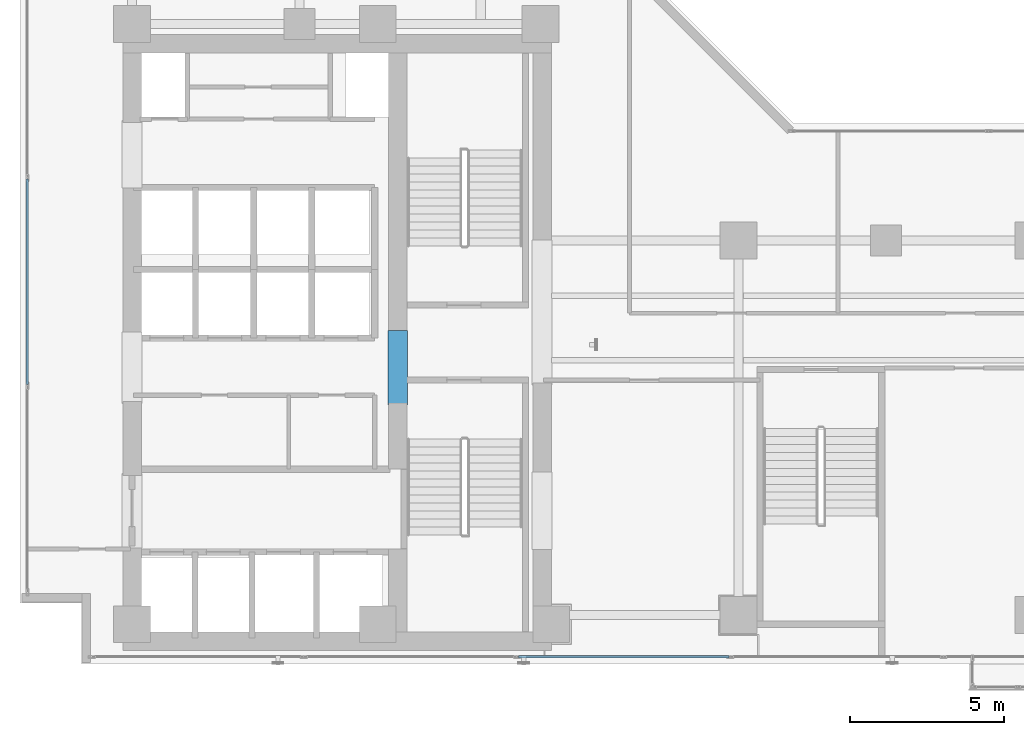
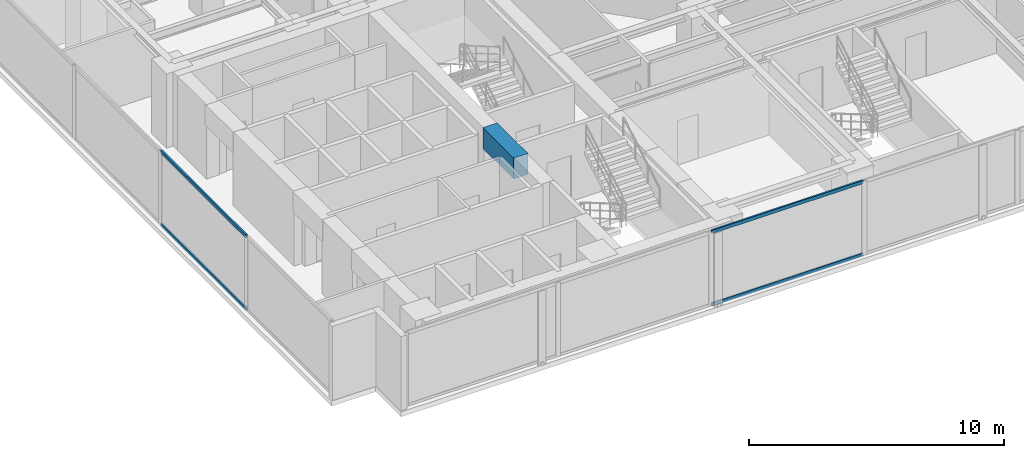
# One storey, part 3 of 27: 4 members, 1 beam, 2 elements without a shape of their own.
"""IFC4 building model written with IfcOpenShell, lengths in metres."""

from ifc_helpers import new_model, si_unit, direction, frame, origin, origin_with_axes, origin_2d, place, context, subcontext, project, spatial, rectangle, hollow_rectangle, extrude, source, transform, mapped, material, layer, layer_set, material_profile, profile_set, type_object, element, aggregate, save


model = new_model("IFC4")

# Units and contexts
model_context = context("Model", 3, precision=1e-05, world=origin(), true_north=direction((0.0, 1.0)))
body_context = subcontext(model_context, "Body", "Model", "MODEL_VIEW")
ifc_project = project(units=[si_unit("LENGTHUNIT", "METRE"), si_unit("AREAUNIT", "SQUARE_METRE"), si_unit("VOLUMEUNIT", "CUBIC_METRE"), si_unit("PLANEANGLEUNIT", "RADIAN"), si_unit("MASSUNIT", "GRAM", prefix="KILO")], contexts=[model_context])

# Site, building, storey
site_placement = place(None, origin())
site = spatial("IfcSite", under=ifc_project, at=site_placement, CompositionType="ELEMENT")
building_placement = place(site_placement, origin())
building = spatial("IfcBuilding", under=site, at=building_placement, Name="Kolvaren Waterfront Exchange", CompositionType="ELEMENT")
storey_placement = place(building_placement, frame((0.0, 0.0, 176.60009765625)))
storey = spatial("IfcBuildingStorey", under=building, at=storey_placement, Name="L45", CompositionType="ELEMENT", Elevation=176.60009765625)

# Beam
ifc_material_1 = material(Name="Concrete C60/75", Category="concrete")
ifc_material_profile_1 = material_profile(ifc_material_1, rectangle(XDim=0.64990234375, YDim=1.0, at=origin_2d()), Name="RC-CB-1000x650")
ifc_profile_set_1 = profile_set([ifc_material_profile_1], Name="Concrete C60/75")
beam_type = type_object("IfcBeamType", Name="STR-CB-1000", PredefinedType="SPANDREL", material=ifc_profile_set_1)
beam_placement = place(storey_placement, frame((16.10009765625, 12.0400390625, 3.059814453125), z_axis=(0.0, 1.0, 0.0), x_axis=(-1.0, 0.0, 0.0)))
element("IfcBeam", 1, at=beam_placement, inside=storey, type_object=beam_type, Name="L45 core coupling beam 6", PredefinedType="SPANDREL", context=body_context, shape_type="SweptSolid", body=[
    extrude(rectangle(XDim=0.64990234375, YDim=1.0, at=origin_2d()), origin(), (0.0, 0.0, 1.0), 2.419921875),
])

# Curtain wall, members
ifc_material_2 = material(Name="Anodised bronze aluminium 6063-T6", Category="aluminium")
ifc_layer_1 = layer(ifc_material_2, 0.219970703125, Name="Anodised bronze aluminium 6063-T6")
ifc_layer_set_1 = layer_set([ifc_layer_1], Name="Anodised bronze aluminium 6063-T6")
curtain_wall_type_1 = type_object("IfcCurtainWallType", Name="ARC-CW-SYS1", PredefinedType="USERDEFINED", material=ifc_layer_set_1)
curtain_wall_1_placement = place(storey_placement, origin())
curtain_wall_1 = element("IfcCurtainWall", 2, at=curtain_wall_1_placement, inside=storey, type_object=curtain_wall_type_1, Name="L45 stick curtain wall CW1 (CW-L45-S)", ObjectType="STICK CURTAIN WALL", PredefinedType="USERDEFINED")
ifc_material_3 = material(Name="Anodised aluminium 6063-T6", Category="aluminium")
ifc_material_profile_2 = material_profile(ifc_material_3, hollow_rectangle(XDim=0.074951171875, YDim=0.159912109375, WallThickness=0.00439453125, at=origin_2d()), Name="ALU-TRN-160x75x4.5")
ifc_profile_set_2 = profile_set([ifc_material_profile_2], Name="Anodised aluminium 6063-T6")
member_type = type_object("IfcMemberType", Name="ARC-CWT-160", PredefinedType="USERDEFINED", material=ifc_profile_set_2)
shared_shape_1 = source(origin_with_axes(), body_context, "Body", "SweptSolid", [
    extrude(hollow_rectangle(XDim=0.074951171875, YDim=0.159912109375, WallThickness=0.00439453125, at=origin_2d()), origin(), (0.0, 0.0, 1.0), 6.863037109375),
])
member_1_placement = place(storey_placement, frame((20.025634765625, 3.840087890625, 0.037353515625), z_axis=(1.0, 0.0, 0.0), x_axis=(0.0, 1.0, 0.0)))
member_1 = element("IfcMember", 3, at=member_1_placement, type_object=member_type, Name="CW1 transom 3.1", ObjectType="TRANSOM", PredefinedType="USERDEFINED", context=body_context, shape_type="MappedRepresentation", body=[
    mapped(shared_shape_1, transform((0.0, 0.0, 0.0), x_axis=(1.0, 0.0, 0.0), y_axis=(0.0, 1.0, 0.0), z_axis=(0.0, 0.0, 1.0), scale=1.0)),
])
member_2_placement = place(storey_placement, frame((20.025634765625, 3.840087890625, 3.5224609375), z_axis=(1.0, 0.0, 0.0), x_axis=(0.0, 1.0, 0.0)))
member_2 = element("IfcMember", 4, at=member_2_placement, type_object=member_type, Name="CW1 transom 3.2", ObjectType="TRANSOM", PredefinedType="USERDEFINED", context=body_context, shape_type="MappedRepresentation", body=[
    mapped(shared_shape_1, transform((0.0, 0.0, 0.0), x_axis=(1.0, 0.0, 0.0), y_axis=(0.0, 1.0, 0.0), z_axis=(0.0, 0.0, 1.0), scale=1.0)),
])
aggregate(curtain_wall_1, [member_1, member_2])

ifc_layer_2 = layer(ifc_material_3, 0.219970703125, Name="Anodised aluminium 6063-T6")
ifc_layer_set_2 = layer_set([ifc_layer_2], Name="Anodised aluminium 6063-T6")
curtain_wall_type_2 = type_object("IfcCurtainWallType", Name="ARC-CW-SYS2", PredefinedType="USERDEFINED", material=ifc_layer_set_2)
curtain_wall_2_placement = place(storey_placement, origin())
curtain_wall_2 = element("IfcCurtainWall", 5, at=curtain_wall_2_placement, inside=storey, type_object=curtain_wall_type_2, Name="L45 stick curtain wall CW2 (CW-L45-W)", ObjectType="STICK CURTAIN WALL", PredefinedType="USERDEFINED")
shared_shape_2 = source(origin_with_axes(), body_context, "Body", "SweptSolid", [
    extrude(hollow_rectangle(XDim=0.074951171875, YDim=0.159912109375, WallThickness=0.00439453125, at=origin_2d()), origin(), (0.0, 0.0, 1.0), 6.6865234375),
])
member_3_placement = place(storey_placement, frame((4.0400390625, 12.706787109375, 0.037353515625), z_axis=(0.0, 1.0, 0.0), x_axis=(-1.0, 0.0, 0.0)))
member_3 = element("IfcMember", 6, at=member_3_placement, type_object=member_type, Name="CW2 transom 2.1", ObjectType="TRANSOM", PredefinedType="USERDEFINED", context=body_context, shape_type="MappedRepresentation", body=[
    mapped(shared_shape_2, transform((0.0, 0.0, 0.0), x_axis=(1.0, 0.0, 0.0), y_axis=(0.0, 1.0, 0.0), z_axis=(0.0, 0.0, 1.0), scale=1.0)),
])
member_4_placement = place(storey_placement, frame((4.0400390625, 12.706787109375, 3.5224609375), z_axis=(0.0, 1.0, 0.0), x_axis=(-1.0, 0.0, 0.0)))
member_4 = element("IfcMember", 7, at=member_4_placement, type_object=member_type, Name="CW2 transom 2.2", ObjectType="TRANSOM", PredefinedType="USERDEFINED", context=body_context, shape_type="MappedRepresentation", body=[
    mapped(shared_shape_2, transform((0.0, 0.0, 0.0), x_axis=(1.0, 0.0, 0.0), y_axis=(0.0, 1.0, 0.0), z_axis=(0.0, 0.0, 1.0), scale=1.0)),
])
aggregate(curtain_wall_2, [member_3, member_4])

save(model, "model.ifc")
